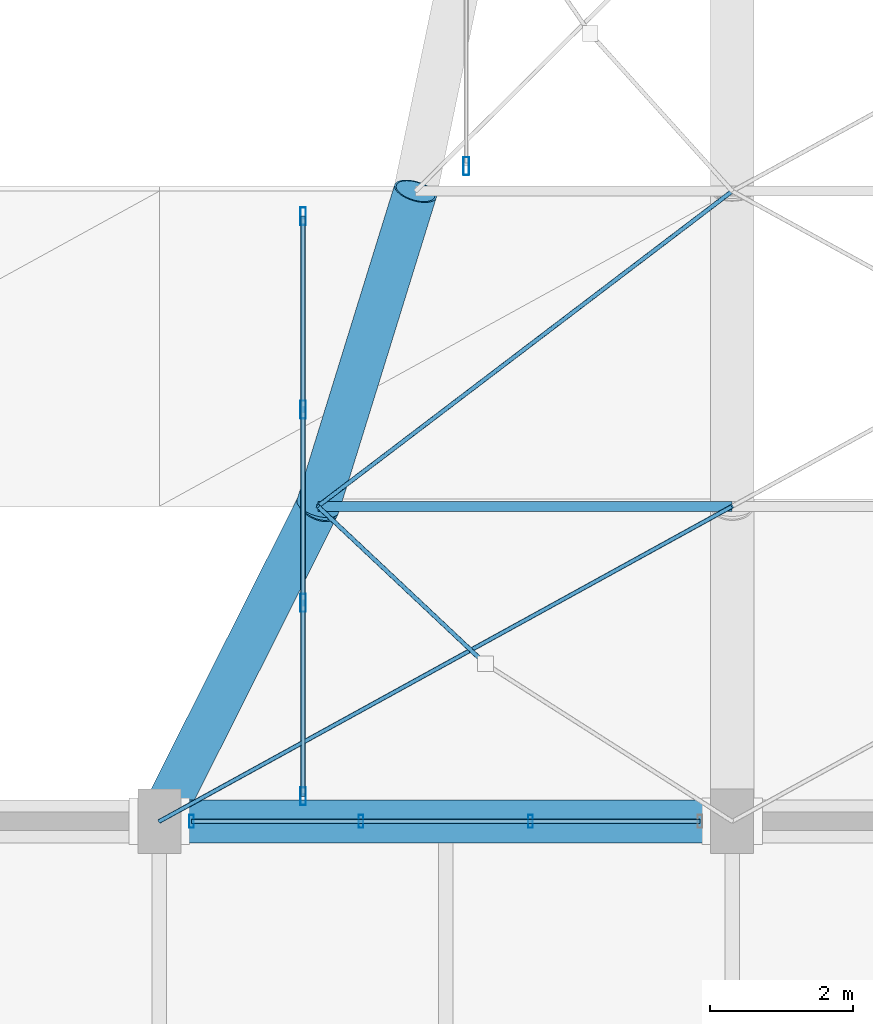
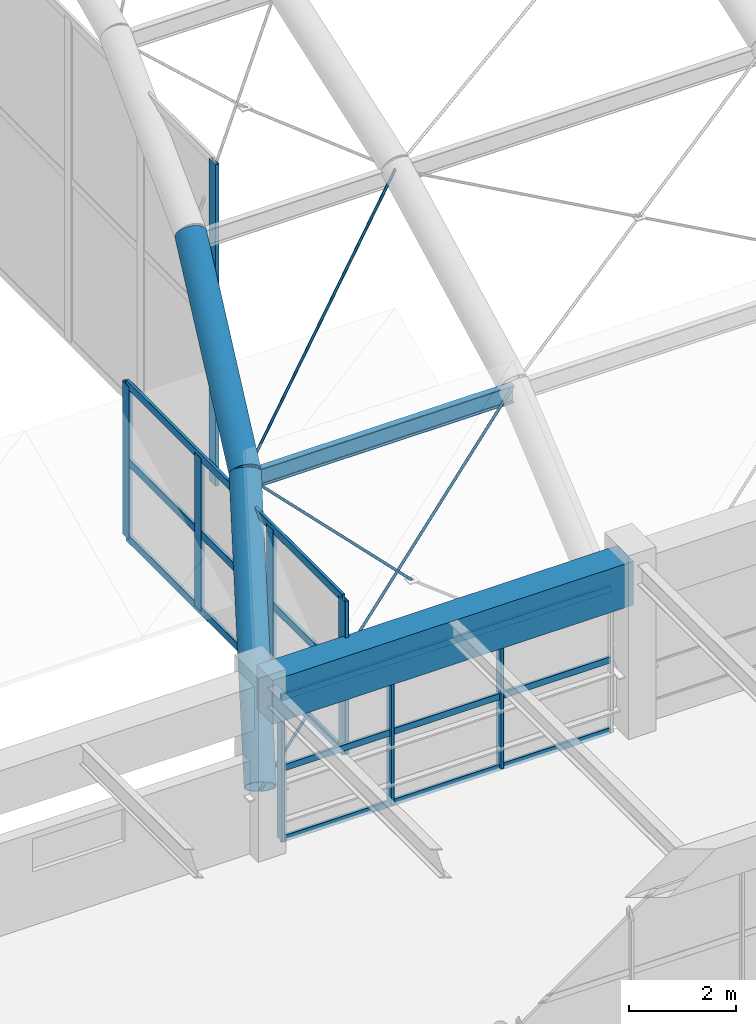
# One storey, part 33 of 126: 17 members, 4 beams, 3 elements without a shape of their own.
"""IFC4 building model written with IfcOpenShell, lengths in metres."""

from ifc_helpers import new_model, si_unit, direction, frame, origin, origin_2d, place, context, subcontext, project, spatial, rectangle, hollow_rectangle, circle, hollow_circle, i_section, extrude, material, material_profile, profile_set, type_object, element, aggregate, save


model = new_model("IFC4")

# Units and contexts
model_context = context("Model", 3, precision=1e-05, world=origin(), true_north=direction((0.0, 1.0)))
body_context = subcontext(model_context, "Body", "Model", "MODEL_VIEW")
ifc_project = project(units=[si_unit("LENGTHUNIT", "METRE"), si_unit("AREAUNIT", "SQUARE_METRE"), si_unit("VOLUMEUNIT", "CUBIC_METRE"), si_unit("PLANEANGLEUNIT", "RADIAN"), si_unit("MASSUNIT", "GRAM", prefix="KILO")], contexts=[model_context])

# Site, building, storey
site_placement = place(None, origin())
site = spatial("IfcSite", under=ifc_project, at=site_placement, CompositionType="ELEMENT")
building_placement = place(site_placement, origin())
building = spatial("IfcBuilding", under=site, at=building_placement, Name="Varnabhumi Central Station", CompositionType="ELEMENT")
storey_placement = place(building_placement, frame((0.0, 0.0, 16.199951171875)))
storey = spatial("IfcBuildingStorey", under=building, at=storey_placement, Name="L03", CompositionType="ELEMENT", Elevation=16.199951171875)

# Beams
ifc_material_1 = material(Name="Structural steel E450", Category="steel")
ifc_material_profile_1 = material_profile(ifc_material_1, hollow_circle(Radius=0.304931640625, WallThickness=0.02490234375, at=origin_2d()), Name="Structural steel E450", Category="steel")
ifc_profile_set_1 = profile_set([ifc_material_profile_1], Name="Structural steel E450")
beam_type_1 = type_object("IfcBeamType", Name="BM-ARCH-CHS610", PredefinedType="BEAM", material=ifc_profile_set_1)
beam_1_placement = place(storey_placement, frame((128.0, 36.0, 1.35009765625), z_axis=(0.35774033359, 0.710983269956, 0.605412787745), x_axis=(-0.893294210393, 0.449472417037, 0.0)))
element("IfcBeam", 1, at=beam_1_placement, inside=storey, type_object=beam_type_1, Name="Platform Train-Shed Vault Arch Rib 1 Seg 1", PredefinedType="BEAM", context=body_context, shape_type="SweptSolid", body=[
    extrude(hollow_circle(Radius=0.304931640625, WallThickness=0.02490234375, at=origin_2d()), origin(), (0.0, 0.0, 1.0), 6.1884765625),
])
beam_2_placement = place(storey_placement, frame((130.2138671875, 40.39990234375, 5.0966796875), z_axis=(0.264652666631, 0.854043869418, 0.447848227813), x_axis=(-0.95518924728, 0.295995780173, 0.0)))
element("IfcBeam", 2, at=beam_2_placement, inside=storey, type_object=beam_type_1, Name="Platform Train-Shed Vault Arch Rib 1 Seg 2", PredefinedType="BEAM", context=body_context, shape_type="SweptSolid", body=[
    extrude(hollow_circle(Radius=0.304931640625, WallThickness=0.02490234375, at=origin_2d()), origin(), (0.0, 0.0, 1.0), 5.152099609375),
])
ifc_material_2 = material(Name="Structural steel E350", Category="steel")
ifc_material_profile_2 = material_profile(ifc_material_2, i_section(OverallWidth=0.139892578125, OverallDepth=0.39990234375, WebThickness=0.0087890625, FlangeThickness=0.01611328125, FilletRadius=0.013916015625, at=origin_2d()), Name="Structural steel E350", Category="steel")
ifc_profile_set_2 = profile_set([ifc_material_profile_2], Name="Structural steel E350")
beam_type_2 = type_object("IfcBeamType", Name="BM-PUR-ISMB400", PredefinedType="LINTEL", material=ifc_profile_set_2)
beam_3_placement = place(storey_placement, frame((130.2138671875, 40.39990234375, 4.896728515625), z_axis=(1.0, 0.0, 0.0), x_axis=(0.0, 1.0, 0.0)))
element("IfcBeam", 3, at=beam_3_placement, inside=storey, type_object=beam_type_2, Name="Platform Train-Shed Vault Purlin B1-L1", PredefinedType="LINTEL", context=body_context, shape_type="SweptSolid", body=[
    extrude(i_section(OverallWidth=0.139892578125, OverallDepth=0.39990234375, WebThickness=0.0087890625, FlangeThickness=0.01611328125, FilletRadius=0.013916015625, at=origin_2d()), origin(), (0.0, 0.0, 1.0), 5.7861328125),
])
ifc_material_3 = material(Name="Concrete M50", Category="concrete")
ifc_material_profile_3 = material_profile(ifc_material_3, rectangle(XDim=0.60009765625, YDim=1.0, at=origin_2d()), Name="Concrete M50", Category="concrete")
ifc_profile_set_3 = profile_set([ifc_material_profile_3], Name="Concrete M50")
beam_type_3 = type_object("IfcBeamType", Name="BM-RC-600x1000", PredefinedType="BEAM", material=ifc_profile_set_3)
beam_4_placement = place(storey_placement, frame((128.10009765625, 36.0, 3.420166015625), z_axis=(1.0, 0.0, 0.0), x_axis=(0.0, 1.0, 0.0)))
element("IfcBeam", 4, at=beam_4_placement, inside=storey, type_object=beam_type_3, Name="Beam L03-E:17-18", PredefinedType="BEAM", context=body_context, shape_type="SweptSolid", body=[
    extrude(rectangle(XDim=0.60009765625, YDim=1.0, at=origin_2d()), origin(), (0.0, 0.0, 1.0), 7.7998046875),
])

# Curtain wall, members
ifc_material_4 = material(Name="Anodised aluminium 6063-T6", Category="aluminium")
curtain_wall_type_1 = type_object("IfcCurtainWallType", Name="CW-SPINE-SCREEN-L0", PredefinedType="NOTDEFINED", material=ifc_material_4)
curtain_wall_1_placement = place(storey_placement, origin())
curtain_wall_1 = element("IfcCurtainWall", 5, at=curtain_wall_1_placement, inside=storey, type_object=curtain_wall_type_1, Name="Curtain Wall CW-SS312", PredefinedType="NOTDEFINED")
ifc_material_profile_4 = material_profile(ifc_material_4, hollow_rectangle(XDim=0.06494140625, YDim=0.179931640625, WallThickness=0.00390625, InnerFilletRadius=0.001953125, OuterFilletRadius=0.006103515625, at=origin_2d()), Name="Anodised aluminium 6063-T6", Category="aluminium")
ifc_profile_set_4 = profile_set([ifc_material_profile_4], Name="Anodised aluminium 6063-T6")
member_type_1 = type_object("IfcMemberType", Name="CW-MUL-180", PredefinedType="MULLION", material=ifc_profile_set_4)
member_1_placement = place(storey_placement, frame((128.449951171875, 36.0, 0.0), z_axis=(0.0, 0.0, 1.0), x_axis=(1.0, 0.0, 0.0)))
member_1 = element("IfcMember", 6, at=member_1_placement, type_object=member_type_1, Name="Curtain Wall Mullion CW-SS312-M1", PredefinedType="MULLION", context=body_context, shape_type="SweptSolid", body=[
    extrude(hollow_rectangle(XDim=0.06494140625, YDim=0.179931640625, WallThickness=0.00390625, InnerFilletRadius=0.001953125, OuterFilletRadius=0.006103515625, at=origin_2d()), origin(), (0.0, 0.0, 1.0), 3.239990234375),
])
member_2_placement = place(storey_placement, frame((130.816650390625, 36.0, 0.0), z_axis=(0.0, 0.0, 1.0), x_axis=(1.0, 0.0, 0.0)))
member_2 = element("IfcMember", 7, at=member_2_placement, type_object=member_type_1, Name="Curtain Wall Mullion CW-SS312-M2", PredefinedType="MULLION", context=body_context, shape_type="SweptSolid", body=[
    extrude(hollow_rectangle(XDim=0.06494140625, YDim=0.179931640625, WallThickness=0.00390625, InnerFilletRadius=0.001953125, OuterFilletRadius=0.006103515625, at=origin_2d()), origin(), (0.0, 0.0, 1.0), 3.239990234375),
])
member_3_placement = place(storey_placement, frame((133.183349609375, 36.0, 0.0), z_axis=(0.0, 0.0, 1.0), x_axis=(1.0, 0.0, 0.0)))
member_3 = element("IfcMember", 8, at=member_3_placement, type_object=member_type_1, Name="Curtain Wall Mullion CW-SS312-M3", PredefinedType="MULLION", context=body_context, shape_type="SweptSolid", body=[
    extrude(hollow_rectangle(XDim=0.06494140625, YDim=0.179931640625, WallThickness=0.00390625, InnerFilletRadius=0.001953125, OuterFilletRadius=0.006103515625, at=origin_2d()), origin(), (0.0, 0.0, 1.0), 3.239990234375),
])

curtain_wall_type_2 = type_object("IfcCurtainWallType", Name="CW-VAULT-ARCH-V5", PredefinedType="NOTDEFINED", material=ifc_material_4)
curtain_wall_2_placement = place(storey_placement, origin())
curtain_wall_2 = element("IfcCurtainWall", 9, at=curtain_wall_2_placement, inside=storey, type_object=curtain_wall_type_2, Name="Curtain Wall CW-V51", PredefinedType="NOTDEFINED")
ifc_material_profile_5 = material_profile(ifc_material_4, hollow_rectangle(XDim=0.080078125, YDim=0.25, WallThickness=0.0048828125, InnerFilletRadius=0.0009765625, OuterFilletRadius=0.006103515625, at=origin_2d()), Name="Anodised aluminium 6063-T6", Category="aluminium")
ifc_profile_set_5 = profile_set([ifc_material_profile_5], Name="Anodised aluminium 6063-T6")
member_type_2 = type_object("IfcMemberType", Name="CW-MUL-250", PredefinedType="MULLION", material=ifc_profile_set_5)
member_4_placement = place(storey_placement, frame((130.007080078125, 36.35009765625, 1.25), z_axis=(0.0, 0.0, 1.0), x_axis=(1.0, 0.0, 0.0)))
member_4 = element("IfcMember", 10, at=member_4_placement, type_object=member_type_2, Name="Curtain Wall Mullion CW-V51-M1", PredefinedType="MULLION", context=body_context, shape_type="SweptSolid", body=[
    extrude(hollow_rectangle(XDim=0.080078125, YDim=0.25, WallThickness=0.0048828125, InnerFilletRadius=0.0009765625, OuterFilletRadius=0.006103515625, at=origin_2d()), origin(), (0.0, 0.0, 1.0), 3.49658203125),
])
member_5_placement = place(storey_placement, frame((130.007080078125, 39.050048828125, 1.25), z_axis=(0.0, 0.0, 1.0), x_axis=(1.0, 0.0, 0.0)))
member_5 = element("IfcMember", 11, at=member_5_placement, type_object=member_type_2, Name="Curtain Wall Mullion CW-V51-M2", PredefinedType="MULLION", context=body_context, shape_type="SweptSolid", body=[
    extrude(hollow_rectangle(XDim=0.080078125, YDim=0.25, WallThickness=0.0048828125, InnerFilletRadius=0.0009765625, OuterFilletRadius=0.006103515625, at=origin_2d()), origin(), (0.0, 0.0, 1.0), 3.49658203125),
])
member_6_placement = place(storey_placement, frame((130.007080078125, 41.75, 1.25), z_axis=(0.0, 0.0, 1.0), x_axis=(1.0, 0.0, 0.0)))
member_6 = element("IfcMember", 12, at=member_6_placement, type_object=member_type_2, Name="Curtain Wall Mullion CW-V51-M3", PredefinedType="MULLION", context=body_context, shape_type="SweptSolid", body=[
    extrude(hollow_rectangle(XDim=0.080078125, YDim=0.25, WallThickness=0.0048828125, InnerFilletRadius=0.0009765625, OuterFilletRadius=0.006103515625, at=origin_2d()), origin(), (0.0, 0.0, 1.0), 3.49658203125),
])
member_7_placement = place(storey_placement, frame((130.007080078125, 44.449951171875, 1.25), z_axis=(0.0, 0.0, 1.0), x_axis=(1.0, 0.0, 0.0)))
member_7 = element("IfcMember", 13, at=member_7_placement, type_object=member_type_2, Name="Curtain Wall Mullion CW-V51-M4", PredefinedType="MULLION", context=body_context, shape_type="SweptSolid", body=[
    extrude(hollow_rectangle(XDim=0.080078125, YDim=0.25, WallThickness=0.0048828125, InnerFilletRadius=0.0009765625, OuterFilletRadius=0.006103515625, at=origin_2d()), origin(), (0.0, 0.0, 1.0), 3.49658203125),
])

# Curtain wall, member
curtain_wall_3_placement = place(storey_placement, origin())
curtain_wall_3 = element("IfcCurtainWall", 14, at=curtain_wall_3_placement, inside=storey, type_object=curtain_wall_type_2, Name="Curtain Wall CW-V52", PredefinedType="NOTDEFINED")
member_8_placement = place(storey_placement, frame((132.284912109375, 45.14990234375, 1.25), z_axis=(0.0, 0.0, 1.0), x_axis=(1.0, 0.0, 0.0)))
member_8 = element("IfcMember", 15, at=member_8_placement, type_object=member_type_2, Name="Curtain Wall Mullion CW-V52-M1", PredefinedType="MULLION", context=body_context, shape_type="SweptSolid", body=[
    extrude(hollow_rectangle(XDim=0.080078125, YDim=0.25, WallThickness=0.0048828125, InnerFilletRadius=0.0009765625, OuterFilletRadius=0.006103515625, at=origin_2d()), origin(), (0.0, 0.0, 1.0), 7.350830078125),
])
aggregate(curtain_wall_3, [member_8])

# Member
ifc_material_profile_6 = material_profile(ifc_material_4, hollow_rectangle(XDim=0.06005859375, YDim=0.14990234375, WallThickness=0.00390625, InnerFilletRadius=0.001953125, OuterFilletRadius=0.006103515625, at=origin_2d()), Name="Anodised aluminium 6063-T6", Category="aluminium")
ifc_profile_set_6 = profile_set([ifc_material_profile_6], Name="Anodised aluminium 6063-T6")
member_type_3 = type_object("IfcMemberType", Name="CW-TR-150", PredefinedType="USERDEFINED", material=ifc_profile_set_6)
member_9_placement = place(storey_placement, frame((128.449951171875, 36.0, 0.0), z_axis=(1.0, 0.0, 0.0), x_axis=(0.0, 1.0, 0.0)))
member_9 = element("IfcMember", 16, at=member_9_placement, type_object=member_type_3, Name="Curtain Wall Transom CW-SS312-T1", ObjectType="TRANSOM", PredefinedType="USERDEFINED", context=body_context, shape_type="SweptSolid", body=[
    extrude(hollow_rectangle(XDim=0.06005859375, YDim=0.14990234375, WallThickness=0.00390625, InnerFilletRadius=0.001953125, OuterFilletRadius=0.006103515625, at=origin_2d()), origin(), (0.0, 0.0, 1.0), 7.10009765625),
])

member_10_placement = place(storey_placement, frame((128.449951171875, 36.0, 1.6201171875), z_axis=(1.0, 0.0, 0.0), x_axis=(0.0, 1.0, 0.0)))
member_10 = element("IfcMember", 17, at=member_10_placement, type_object=member_type_3, Name="Curtain Wall Transom CW-SS312-T2", ObjectType="TRANSOM", PredefinedType="USERDEFINED", context=body_context, shape_type="SweptSolid", body=[
    extrude(hollow_rectangle(XDim=0.06005859375, YDim=0.14990234375, WallThickness=0.00390625, InnerFilletRadius=0.001953125, OuterFilletRadius=0.006103515625, at=origin_2d()), origin(), (0.0, 0.0, 1.0), 7.10009765625),
])

member_11_placement = place(storey_placement, frame((128.449951171875, 36.0, 3.239990234375), z_axis=(1.0, 0.0, 0.0), x_axis=(0.0, 1.0, 0.0)))
member_11 = element("IfcMember", 18, at=member_11_placement, type_object=member_type_3, Name="Curtain Wall Transom CW-SS312-T3", ObjectType="TRANSOM", PredefinedType="USERDEFINED", context=body_context, shape_type="SweptSolid", body=[
    extrude(hollow_rectangle(XDim=0.06005859375, YDim=0.14990234375, WallThickness=0.00390625, InnerFilletRadius=0.001953125, OuterFilletRadius=0.006103515625, at=origin_2d()), origin(), (0.0, 0.0, 1.0), 7.10009765625),
])

aggregate(curtain_wall_1, [member_1, member_2, member_3, member_9, member_10, member_11])

ifc_material_profile_7 = material_profile(ifc_material_4, hollow_rectangle(XDim=0.06494140625, YDim=0.179931640625, WallThickness=0.00390625, InnerFilletRadius=0.001953125, OuterFilletRadius=0.006103515625, at=origin_2d()), Name="Anodised aluminium 6063-T6", Category="aluminium")
ifc_profile_set_7 = profile_set([ifc_material_profile_7], Name="Anodised aluminium 6063-T6")
member_type_4 = type_object("IfcMemberType", Name="CW-TR-180", PredefinedType="USERDEFINED", material=ifc_profile_set_7)
member_12_placement = place(storey_placement, frame((130.007080078125, 36.35009765625, 1.25), z_axis=(0.0, 1.0, 0.0), x_axis=(-1.0, 0.0, 0.0)))
member_12 = element("IfcMember", 19, at=member_12_placement, type_object=member_type_4, Name="Curtain Wall Transom CW-V51-T1", ObjectType="TRANSOM", PredefinedType="USERDEFINED", context=body_context, shape_type="SweptSolid", body=[
    extrude(hollow_rectangle(XDim=0.06494140625, YDim=0.179931640625, WallThickness=0.00390625, InnerFilletRadius=0.001953125, OuterFilletRadius=0.006103515625, at=origin_2d()), origin(), (0.0, 0.0, 1.0), 8.099853515625),
])

member_13_placement = place(storey_placement, frame((130.007080078125, 36.35009765625, 2.998291015625), z_axis=(0.0, 1.0, 0.0), x_axis=(-1.0, 0.0, 0.0)))
member_13 = element("IfcMember", 20, at=member_13_placement, type_object=member_type_4, Name="Curtain Wall Transom CW-V51-T2", ObjectType="TRANSOM", PredefinedType="USERDEFINED", context=body_context, shape_type="SweptSolid", body=[
    extrude(hollow_rectangle(XDim=0.06494140625, YDim=0.179931640625, WallThickness=0.00390625, InnerFilletRadius=0.001953125, OuterFilletRadius=0.006103515625, at=origin_2d()), origin(), (0.0, 0.0, 1.0), 8.099853515625),
])

member_14_placement = place(storey_placement, frame((130.007080078125, 36.35009765625, 4.74658203125), z_axis=(0.0, 1.0, 0.0), x_axis=(-1.0, 0.0, 0.0)))
member_14 = element("IfcMember", 21, at=member_14_placement, type_object=member_type_4, Name="Curtain Wall Transom CW-V51-T3", ObjectType="TRANSOM", PredefinedType="USERDEFINED", context=body_context, shape_type="SweptSolid", body=[
    extrude(hollow_rectangle(XDim=0.06494140625, YDim=0.179931640625, WallThickness=0.00390625, InnerFilletRadius=0.001953125, OuterFilletRadius=0.006103515625, at=origin_2d()), origin(), (0.0, 0.0, 1.0), 8.099853515625),
])

aggregate(curtain_wall_2, [member_4, member_5, member_6, member_7, member_12, member_13, member_14])

# Members
ifc_material_5 = material(Name="Spiral-strand steel S1570", Category="steel")
ifc_material_profile_8 = material_profile(ifc_material_5, circle(Radius=0.030029296875, at=origin_2d()), Name="Spiral-strand steel S1570", Category="steel")
ifc_profile_set_8 = profile_set([ifc_material_profile_8], Name="Spiral-strand steel S1570")
member_type_5 = type_object("IfcMemberType", Name="MBR-CABLE-D60", PredefinedType="USERDEFINED", material=ifc_profile_set_8)
member_15_placement = place(storey_placement, frame((128.0, 36.0, 1.27001953125), z_axis=(0.810623868746, 0.4458332325, 0.379633602593), x_axis=(-0.481910537812, 0.876220425204, 0.0)))
element("IfcMember", 22, at=member_15_placement, inside=storey, type_object=member_type_5, Name="Platform Train-Shed Vault Cable-Net Tie B1-P1A", ObjectType="TENSION CABLE", PredefinedType="USERDEFINED", context=body_context, shape_type="SweptSolid", body=[
    extrude(circle(Radius=0.030029296875, at=origin_2d()), origin(), (0.0, 0.0, 1.0), 9.868896484375),
])
member_16_placement = place(storey_placement, frame((130.2138671875, 40.39990234375, 5.0166015625), z_axis=(0.629280995876, -0.59171982196, -0.503858194861), x_axis=(0.685030271388, 0.728514603342, 0.0)))
element("IfcMember", 23, at=member_16_placement, inside=storey, type_object=member_type_5, Name="Platform Train-Shed Vault Cable-Net Split Tie B1-P1B1", ObjectType="TENSION CABLE", PredefinedType="USERDEFINED", context=body_context, shape_type="SweptSolid", body=[
    extrude(circle(Radius=0.030029296875, at=origin_2d()), origin(), (0.0, 0.0, 1.0), 3.7177734375),
])
member_17_placement = place(storey_placement, frame((130.2138671875, 40.39990234375, 5.0166015625), z_axis=(0.758680730305, 0.576949485329, 0.302543948612), x_axis=(-0.605317422479, 0.795984182031, 0.0)))
element("IfcMember", 24, at=member_17_placement, inside=storey, type_object=member_type_5, Name="Platform Train-Shed Vault Cable-Net Tie B1-P2A", ObjectType="TENSION CABLE", PredefinedType="USERDEFINED", context=body_context, shape_type="SweptSolid", body=[
    extrude(circle(Radius=0.030029296875, at=origin_2d()), origin(), (0.0, 0.0, 1.0), 7.62646484375),
])

save(model, "model.ifc")
